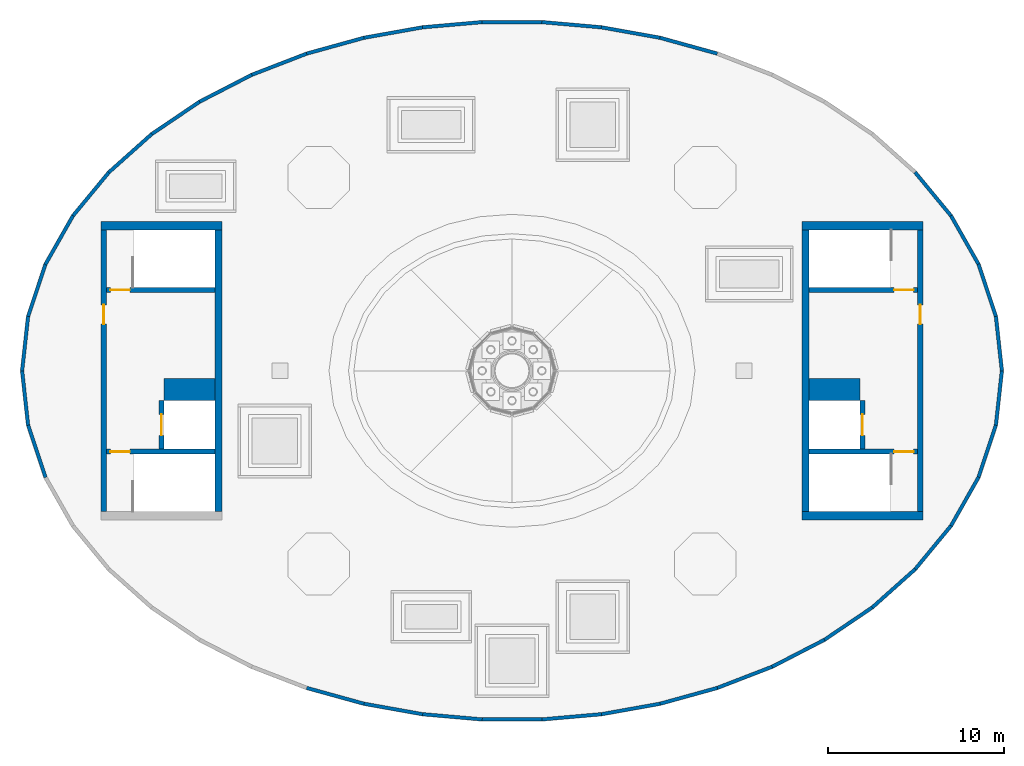
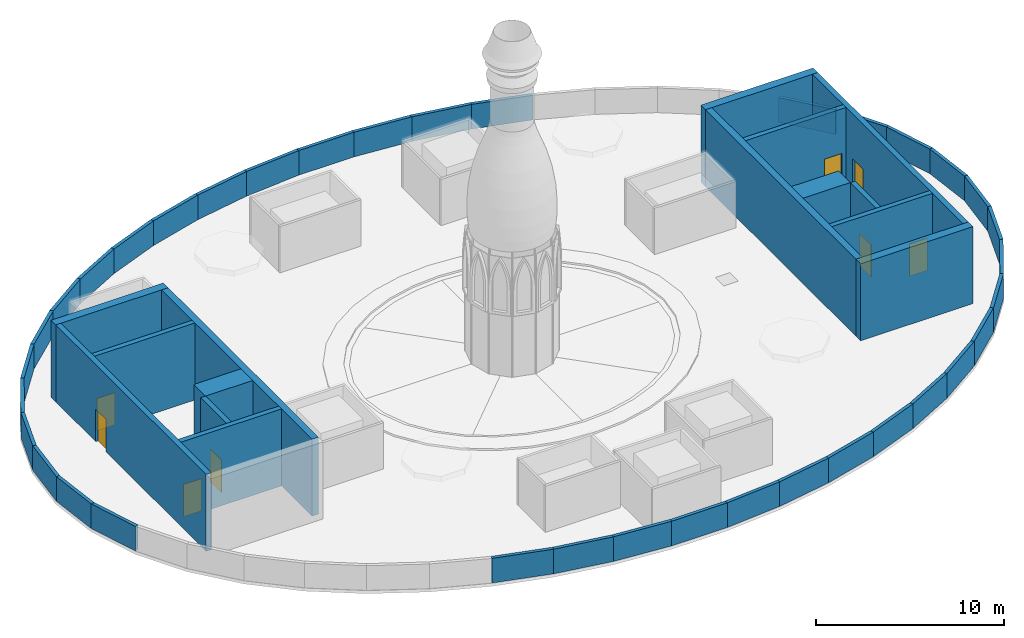
# One storey, part 3 of 7: 51 walls, 8 doors, 8 openings.
"""IFC4 building model written with IfcOpenShell, lengths in metres."""

from ifc_helpers import new_model, si_unit, direction, frame, frame_2d, origin, place, context, subcontext, project, spatial, rectangle, extrude, material, layer, layer_set, type_object, element, fill, save


model = new_model("IFC4")

# Units and contexts
model_context = context("Model", 3, precision=1e-05, world=origin(), true_north=direction((0.0, 1.0)))
body_context = subcontext(model_context, "Body", "Model", "MODEL_VIEW")
ifc_project = project(units=[si_unit("LENGTHUNIT", "METRE"), si_unit("AREAUNIT", "SQUARE_METRE"), si_unit("VOLUMEUNIT", "CUBIC_METRE"), si_unit("PLANEANGLEUNIT", "RADIAN"), si_unit("MASSUNIT", "GRAM", prefix="KILO")], contexts=[model_context])

# Site, building, storey
site_placement = place(None, origin())
site = spatial("IfcSite", under=ifc_project, at=site_placement, CompositionType="ELEMENT")
building_placement = place(site_placement, origin())
building = spatial("IfcBuilding", under=site, at=building_placement, Name="Noorbagh Ring Tower", CompositionType="ELEMENT")
storey_placement = place(building_placement, frame((0.0, 0.0, 356.5)))
storey = spatial("IfcBuildingStorey", under=building, at=storey_placement, Name="L78", CompositionType="ELEMENT", Elevation=356.5)

# Walls
ifc_material_1 = material(Name="Concrete C50/60", Category="concrete")
ifc_layer_1 = layer(ifc_material_1, 1.25)
ifc_layer_set_1 = layer_set([ifc_layer_1], Name="Concrete C50/60")
wall_type_1 = type_object("IfcWallType", Name="CORE-WALL-1250-C50-60-EI120", PredefinedType="SHEAR", material=ifc_layer_set_1)
for number, where, z_axis, x_axis, name in (
    (1, (-16.89990234375, -1.074951171875, 0.0), (0.0, 0.0, 1.0), (-1.0, 0.0, 0.0), "Lift shaft wall W"),
    (2, (16.89990234375, -1.074951171875, 0.0), (0.0, 0.0, 1.0), (1.0, 0.0, 0.0), "Lift shaft wall E"),
):
    element("IfcWall", number, at=place(storey_placement, frame(where, z_axis=z_axis, x_axis=x_axis)), inside=storey, type_object=wall_type_1, Name=name, PredefinedType="SHEAR", context=body_context, shape_type="SweptSolid", body=[
        extrude(rectangle(XDim=2.900146484375, YDim=1.25, at=frame_2d((1.4501953125, 0.0))), origin(), (0.0, 0.0, 1.0), 5.0),
    ])

# Wall, opening, door
ifc_material_2 = material(Name="Concrete C50/60", Category="concrete")
ifc_layer_2 = layer(ifc_material_2, 0.300048828125)
ifc_layer_set_2 = layer_set([ifc_layer_2], Name="Concrete C50/60")
wall_type_2 = type_object("IfcWallType", Name="CORE-WALL-300-C50-60-EI120", PredefinedType="SHEAR", material=ifc_layer_set_2)
wall_1_placement = place(storey_placement, frame((-19.949951171875, -4.449951171875, 0.0), z_axis=(0.0, 0.0, 1.0), x_axis=(0.0, 1.0, 0.0)))
wall_1 = element("IfcWall", 3, at=wall_1_placement, inside=storey, type_object=wall_type_2, Name="Lift shaft wall W", PredefinedType="SHEAR", context=body_context, shape_type="SweptSolid", body=[
    extrude(rectangle(XDim=2.75, YDim=0.300048828125, at=frame_2d((1.375, 0.0))), origin(), (0.0, 0.0, 1.0), 5.0),
])
opening_1_placement = place(wall_1_placement, frame((0.77490234375, 0.0, 0.0)))
opening_1 = element("IfcOpeningElement", 4, at=opening_1_placement, cuts=wall_1, Name="Opening L78-LW01", PredefinedType="OPENING", context=body_context, shape_type="SweptSolid", body=[
    extrude(rectangle(XDim=1.199951171875, YDim=2.10009765625, at=frame_2d((0.60009765625, 1.050048828125))), frame((0.0, 0.16015625, 0.0), z_axis=(0.0, -1.0, 0.0), x_axis=(1.0, 0.0, 0.0)), (0.0, 0.0, 1.0), 0.320068359375),
])
ifc_material_3 = material(Name="Steel door leaf", Category="steel")
door_type_1 = type_object("IfcDoorType", Name="CORE-DOOR-LDW", OperationType="DOUBLE_DOOR_SLIDING", PredefinedType="DOOR", material=ifc_material_3)
door_1_placement = place(opening_1_placement, origin())
door_1 = element("IfcDoor", 5, at=door_1_placement, inside=storey, type_object=door_type_1, Name="Landing door FF1 L78-LW01", OperationType="DOUBLE_DOOR_SLIDING", OverallHeight=2.10009765625, OverallWidth=1.199951171875, PredefinedType="DOOR", context=body_context, shape_type="SweptSolid", body=[
    extrude(rectangle(XDim=1.199951171875, YDim=2.10009765625, at=frame_2d((0.60009765625, 1.050048828125))), frame((0.0, 0.02490234375, 0.0), z_axis=(0.0, -1.0, 0.0), x_axis=(1.0, 0.0, 0.0)), (0.0, 0.0, 1.0), 0.050048828125),
])
fill(opening_1, door_1)

wall_2_placement = place(storey_placement, frame((19.949951171875, -4.449951171875, 0.0), z_axis=(0.0, 0.0, 1.0), x_axis=(0.0, 1.0, 0.0)))
wall_2 = element("IfcWall", 6, at=wall_2_placement, inside=storey, type_object=wall_type_2, Name="Lift shaft wall E", PredefinedType="SHEAR", context=body_context, shape_type="SweptSolid", body=[
    extrude(rectangle(XDim=2.75, YDim=0.300048828125, at=frame_2d((1.375, 0.0))), origin(), (0.0, 0.0, 1.0), 5.0),
])
opening_2_placement = place(wall_2_placement, frame((0.77490234375, 0.0, 0.0)))
opening_2 = element("IfcOpeningElement", 7, at=opening_2_placement, cuts=wall_2, Name="Opening L78-LE01", PredefinedType="OPENING", context=body_context, shape_type="SweptSolid", body=[
    extrude(rectangle(XDim=1.199951171875, YDim=2.10009765625, at=frame_2d((0.60009765625, 1.050048828125))), frame((0.0, 0.16015625, 0.0), z_axis=(0.0, -1.0, 0.0), x_axis=(1.0, 0.0, 0.0)), (0.0, 0.0, 1.0), 0.320068359375),
])
door_2_placement = place(opening_2_placement, origin())
door_2 = element("IfcDoor", 8, at=door_2_placement, inside=storey, type_object=door_type_1, Name="Landing door FF2 L78-LE01", OperationType="DOUBLE_DOOR_SLIDING", OverallHeight=2.10009765625, OverallWidth=1.199951171875, PredefinedType="DOOR", context=body_context, shape_type="SweptSolid", body=[
    extrude(rectangle(XDim=1.199951171875, YDim=2.10009765625, at=frame_2d((0.60009765625, 1.050048828125))), frame((0.0, 0.02490234375, 0.0), z_axis=(0.0, -1.0, 0.0), x_axis=(1.0, 0.0, 0.0)), (0.0, 0.0, 1.0), 0.050048828125),
])
fill(opening_2, door_2)

ifc_material_4 = material(Name="Concrete C50/60", Category="concrete")
ifc_layer_3 = layer(ifc_material_4, 0.300048828125)
ifc_layer_set_3 = layer_set([ifc_layer_3], Name="Concrete C50/60")
wall_type_3 = type_object("IfcWallType", Name="CORE-WALL-300-C50-60-EI240-HEADHOUSE", PredefinedType="SHEAR", material=ifc_layer_set_3)
wall_3_placement = place(storey_placement, frame((-16.89990234375, 4.60009765625, 0.0), z_axis=(0.0, 0.0, 1.0), x_axis=(-1.0, 0.0, 0.0)))
wall_3 = element("IfcWall", 9, at=wall_3_placement, inside=storey, type_object=wall_type_3, Name="Stair head-house wall W", PredefinedType="SHEAR", context=body_context, shape_type="SweptSolid", body=[
    extrude(rectangle(XDim=6.18017578125, YDim=0.300048828125, at=frame_2d((3.090087890625, 0.0))), origin(), (0.0, 0.0, 1.0), 5.0),
])
opening_3_placement = place(wall_3_placement, frame((4.85009765625, 0.0, 0.0)))
opening_3 = element("IfcOpeningElement", 10, at=opening_3_placement, cuts=wall_3, Name="Opening L78-HW01", PredefinedType="OPENING", context=body_context, shape_type="SweptSolid", body=[
    extrude(rectangle(XDim=1.10009765625, YDim=2.10009765625, at=frame_2d((0.550048828125, 1.050048828125))), frame((0.0, 0.16015625, 0.0), z_axis=(0.0, -1.0, 0.0), x_axis=(1.0, 0.0, 0.0)), (0.0, 0.0, 1.0), 0.320068359375),
])
ifc_material_5 = material(Name="Steel door leaf", Category="steel")
door_type_2 = type_object("IfcDoorType", Name="CORE-DOOR-DSTAIR", OperationType="SINGLE_SWING_LEFT", PredefinedType="DOOR", material=ifc_material_5)
door_3_placement = place(opening_3_placement, origin())
door_3 = element("IfcDoor", 11, at=door_3_placement, inside=storey, type_object=door_type_2, Name="Stair door L78-HW01", OperationType="SINGLE_SWING_LEFT", OverallHeight=2.10009765625, OverallWidth=1.10009765625, PredefinedType="DOOR", context=body_context, shape_type="SweptSolid", body=[
    extrude(rectangle(XDim=1.10009765625, YDim=2.10009765625, at=frame_2d((0.550048828125, 1.050048828125))), frame((0.0, 0.02490234375, 0.0), z_axis=(0.0, -1.0, 0.0), x_axis=(1.0, 0.0, 0.0)), (0.0, 0.0, 1.0), 0.050048828125),
])
fill(opening_3, door_3)

wall_4_placement = place(storey_placement, frame((-16.89990234375, -4.60009765625, 0.0), z_axis=(0.0, 0.0, 1.0), x_axis=(-1.0, 0.0, 0.0)))
wall_4 = element("IfcWall", 12, at=wall_4_placement, inside=storey, type_object=wall_type_3, Name="Stair head-house wall W", PredefinedType="SHEAR", context=body_context, shape_type="SweptSolid", body=[
    extrude(rectangle(XDim=6.18017578125, YDim=0.300048828125, at=frame_2d((3.090087890625, 0.0))), origin(), (0.0, 0.0, 1.0), 5.0),
])
opening_4_placement = place(wall_4_placement, frame((4.85009765625, 0.0, 0.0)))
opening_4 = element("IfcOpeningElement", 13, at=opening_4_placement, cuts=wall_4, Name="Opening L78-HW02", PredefinedType="OPENING", context=body_context, shape_type="SweptSolid", body=[
    extrude(rectangle(XDim=1.10009765625, YDim=2.10009765625, at=frame_2d((0.550048828125, 1.050048828125))), frame((0.0, 0.16015625, 0.0), z_axis=(0.0, -1.0, 0.0), x_axis=(1.0, 0.0, 0.0)), (0.0, 0.0, 1.0), 0.320068359375),
])
door_4_placement = place(opening_4_placement, origin())
door_4 = element("IfcDoor", 14, at=door_4_placement, inside=storey, type_object=door_type_2, Name="Stair door L78-HW02", OperationType="SINGLE_SWING_RIGHT", OverallHeight=2.10009765625, OverallWidth=1.10009765625, PredefinedType="DOOR", context=body_context, shape_type="SweptSolid", body=[
    extrude(rectangle(XDim=1.10009765625, YDim=2.10009765625, at=frame_2d((0.550048828125, 1.050048828125))), frame((0.0, 0.02490234375, 0.0), z_axis=(0.0, -1.0, 0.0), x_axis=(1.0, 0.0, 0.0)), (0.0, 0.0, 1.0), 0.050048828125),
])
fill(opening_4, door_4)

wall_5_placement = place(storey_placement, frame((16.89990234375, 4.60009765625, 0.0), z_axis=(0.0, 0.0, 1.0), x_axis=(1.0, 0.0, 0.0)))
wall_5 = element("IfcWall", 15, at=wall_5_placement, inside=storey, type_object=wall_type_3, Name="Stair head-house wall E", PredefinedType="SHEAR", context=body_context, shape_type="SweptSolid", body=[
    extrude(rectangle(XDim=6.18017578125, YDim=0.300048828125, at=frame_2d((3.090087890625, 0.0))), origin(), (0.0, 0.0, 1.0), 5.0),
])
opening_5_placement = place(wall_5_placement, frame((4.85009765625, 0.0, 0.0)))
opening_5 = element("IfcOpeningElement", 16, at=opening_5_placement, cuts=wall_5, Name="Opening L78-HE01", PredefinedType="OPENING", context=body_context, shape_type="SweptSolid", body=[
    extrude(rectangle(XDim=1.10009765625, YDim=2.10009765625, at=frame_2d((0.550048828125, 1.050048828125))), frame((0.0, 0.16015625, 0.0), z_axis=(0.0, -1.0, 0.0), x_axis=(1.0, 0.0, 0.0)), (0.0, 0.0, 1.0), 0.320068359375),
])
door_5_placement = place(opening_5_placement, origin())
door_5 = element("IfcDoor", 17, at=door_5_placement, inside=storey, type_object=door_type_2, Name="Stair door L78-HE01", OperationType="SINGLE_SWING_RIGHT", OverallHeight=2.10009765625, OverallWidth=1.10009765625, PredefinedType="DOOR", context=body_context, shape_type="SweptSolid", body=[
    extrude(rectangle(XDim=1.10009765625, YDim=2.10009765625, at=frame_2d((0.550048828125, 1.050048828125))), frame((0.0, 0.02490234375, 0.0), z_axis=(0.0, -1.0, 0.0), x_axis=(1.0, 0.0, 0.0)), (0.0, 0.0, 1.0), 0.050048828125),
])
fill(opening_5, door_5)

wall_6_placement = place(storey_placement, frame((16.89990234375, -4.60009765625, 0.0), z_axis=(0.0, 0.0, 1.0), x_axis=(1.0, 0.0, 0.0)))
wall_6 = element("IfcWall", 18, at=wall_6_placement, inside=storey, type_object=wall_type_3, Name="Stair head-house wall E", PredefinedType="SHEAR", context=body_context, shape_type="SweptSolid", body=[
    extrude(rectangle(XDim=6.18017578125, YDim=0.300048828125, at=frame_2d((3.090087890625, 0.0))), origin(), (0.0, 0.0, 1.0), 5.0),
])
opening_6_placement = place(wall_6_placement, frame((4.85009765625, 0.0, 0.0)))
opening_6 = element("IfcOpeningElement", 19, at=opening_6_placement, cuts=wall_6, Name="Opening L78-HE02", PredefinedType="OPENING", context=body_context, shape_type="SweptSolid", body=[
    extrude(rectangle(XDim=1.10009765625, YDim=2.10009765625, at=frame_2d((0.550048828125, 1.050048828125))), frame((0.0, 0.16015625, 0.0), z_axis=(0.0, -1.0, 0.0), x_axis=(1.0, 0.0, 0.0)), (0.0, 0.0, 1.0), 0.320068359375),
])
door_6_placement = place(opening_6_placement, origin())
door_6 = element("IfcDoor", 20, at=door_6_placement, inside=storey, type_object=door_type_2, Name="Stair door L78-HE02", OperationType="SINGLE_SWING_LEFT", OverallHeight=2.10009765625, OverallWidth=1.10009765625, PredefinedType="DOOR", context=body_context, shape_type="SweptSolid", body=[
    extrude(rectangle(XDim=1.10009765625, YDim=2.10009765625, at=frame_2d((0.550048828125, 1.050048828125))), frame((0.0, 0.02490234375, 0.0), z_axis=(0.0, -1.0, 0.0), x_axis=(1.0, 0.0, 0.0)), (0.0, 0.0, 1.0), 0.050048828125),
])
fill(opening_6, door_6)

ifc_material_6 = material(Name="Concrete C50/60", Category="concrete")
ifc_layer_4 = layer(ifc_material_6, 0.320068359375)
ifc_layer_set_4 = layer_set([ifc_layer_4], Name="Concrete C50/60")
wall_type_4 = type_object("IfcWallType", Name="CORE-WALL-320-C50-60-EI240-HEADHOUSE", PredefinedType="SHEAR", material=ifc_layer_set_4)
wall_7_placement = place(storey_placement, frame((-23.239990234375, -8.0, 0.0), z_axis=(0.0, 0.0, 1.0), x_axis=(0.0, 1.0, 0.0)))
wall_7 = element("IfcWall", 21, at=wall_7_placement, inside=storey, type_object=wall_type_4, Name="Stair head-house wall W", PredefinedType="SHEAR", context=body_context, shape_type="SweptSolid", body=[
    extrude(rectangle(XDim=16.0, YDim=0.320068359375, at=frame_2d((8.0, 0.0))), origin(), (0.0, 0.0, 1.0), 5.0),
])
opening_7_placement = place(wall_7_placement, frame((10.64990234375, 0.0, 0.0)))
opening_7 = element("IfcOpeningElement", 22, at=opening_7_placement, cuts=wall_7, Name="Opening L78-HW03", PredefinedType="OPENING", context=body_context, shape_type="SweptSolid", body=[
    extrude(rectangle(XDim=1.10009765625, YDim=2.10009765625, at=frame_2d((0.550048828125, 1.050048828125))), frame((0.0, 0.169921875, 0.0), z_axis=(0.0, -1.0, 0.0), x_axis=(1.0, 0.0, 0.0)), (0.0, 0.0, 1.0), 0.340087890625),
])
ifc_material_7 = material(Name="Steel door leaf", Category="steel")
door_type_3 = type_object("IfcDoorType", Name="CORE-DOOR-DROOF", OperationType="SINGLE_SWING_LEFT", PredefinedType="DOOR", material=ifc_material_7)
door_7_placement = place(opening_7_placement, origin())
door_7 = element("IfcDoor", 23, at=door_7_placement, inside=storey, type_object=door_type_3, Name="Roof access door L78-HW03", OperationType="SINGLE_SWING_RIGHT", OverallHeight=2.10009765625, OverallWidth=1.10009765625, PredefinedType="DOOR", context=body_context, shape_type="SweptSolid", body=[
    extrude(rectangle(XDim=1.10009765625, YDim=2.10009765625, at=frame_2d((0.550048828125, 1.050048828125))), frame((0.0, 0.02490234375, 0.0), z_axis=(0.0, -1.0, 0.0), x_axis=(1.0, 0.0, 0.0)), (0.0, 0.0, 1.0), 0.050048828125),
])
fill(opening_7, door_7)

wall_8_placement = place(storey_placement, frame((23.239990234375, -8.0, 0.0), z_axis=(0.0, 0.0, 1.0), x_axis=(0.0, 1.0, 0.0)))
wall_8 = element("IfcWall", 24, at=wall_8_placement, inside=storey, type_object=wall_type_4, Name="Stair head-house wall E", PredefinedType="SHEAR", context=body_context, shape_type="SweptSolid", body=[
    extrude(rectangle(XDim=16.0, YDim=0.320068359375, at=frame_2d((8.0, 0.0))), origin(), (0.0, 0.0, 1.0), 5.0),
])
opening_8_placement = place(wall_8_placement, frame((10.64990234375, 0.0, 0.0)))
opening_8 = element("IfcOpeningElement", 25, at=opening_8_placement, cuts=wall_8, Name="Opening L78-HE03", PredefinedType="OPENING", context=body_context, shape_type="SweptSolid", body=[
    extrude(rectangle(XDim=1.10009765625, YDim=2.10009765625, at=frame_2d((0.550048828125, 1.050048828125))), frame((0.0, 0.169921875, 0.0), z_axis=(0.0, -1.0, 0.0), x_axis=(1.0, 0.0, 0.0)), (0.0, 0.0, 1.0), 0.340087890625),
])
door_8_placement = place(opening_8_placement, origin())
door_8 = element("IfcDoor", 26, at=door_8_placement, inside=storey, type_object=door_type_3, Name="Roof access door L78-HE03", OperationType="SINGLE_SWING_LEFT", OverallHeight=2.10009765625, OverallWidth=1.10009765625, PredefinedType="DOOR", context=body_context, shape_type="SweptSolid", body=[
    extrude(rectangle(XDim=1.10009765625, YDim=2.10009765625, at=frame_2d((0.550048828125, 1.050048828125))), frame((0.0, 0.02490234375, 0.0), z_axis=(0.0, -1.0, 0.0), x_axis=(1.0, 0.0, 0.0)), (0.0, 0.0, 1.0), 0.050048828125),
])
fill(opening_8, door_8)

# Walls
ifc_material_8 = material(Name="Concrete C50/60", Category="concrete")
ifc_layer_5 = layer(ifc_material_8, 0.39990234375)
ifc_layer_set_5 = layer_set([ifc_layer_5], Name="Concrete C50/60")
wall_type_5 = type_object("IfcWallType", Name="CORE-WALL-400-C50-60-EI240-HEADHOUSE", PredefinedType="SHEAR", material=ifc_layer_set_5)
for number, where, z_axis, x_axis, name in (
    (27, (-16.699951171875, -8.0, 0.0), (0.0, 0.0, 1.0), (0.0, 1.0, 0.0), "Stair head-house wall W"),
    (28, (16.699951171875, -8.0, 0.0), (0.0, 0.0, 1.0), (0.0, 1.0, 0.0), "Stair head-house wall E"),
):
    element("IfcWall", number, at=place(storey_placement, frame(where, z_axis=z_axis, x_axis=x_axis)), inside=storey, type_object=wall_type_5, Name=name, PredefinedType="SHEAR", context=body_context, shape_type="SweptSolid", body=[
        extrude(rectangle(XDim=16.0, YDim=0.39990234375, at=frame_2d((8.0, 0.0))), origin(), (0.0, 0.0, 1.0), 5.0),
    ])
ifc_material_9 = material(Name="Concrete C50/60", Category="concrete")
ifc_layer_6 = layer(ifc_material_9, 0.5)
ifc_layer_set_6 = layer_set([ifc_layer_6], Name="Concrete C50/60")
wall_type_6 = type_object("IfcWallType", Name="CORE-WALL-500-C50-60-EI240-HEADHOUSE", PredefinedType="SHEAR", material=ifc_layer_set_6)
for number, where, z_axis, x_axis, name in (
    (29, (-16.5, 8.25, 0.0), (0.0, 0.0, 1.0), (-1.0, 0.0, 0.0), "Stair head-house wall W"),
    (30, (16.5, 8.25, 0.0), (0.0, 0.0, 1.0), (1.0, 0.0, 0.0), "Stair head-house wall E"),
    (31, (16.5, -8.25, 0.0), (0.0, 0.0, 1.0), (1.0, 0.0, 0.0), "Stair head-house wall E"),
):
    element("IfcWall", number, at=place(storey_placement, frame(where, z_axis=z_axis, x_axis=x_axis)), inside=storey, type_object=wall_type_6, Name=name, PredefinedType="SHEAR", context=body_context, shape_type="SweptSolid", body=[
        extrude(rectangle(XDim=6.89990234375, YDim=0.5, at=frame_2d((3.449951171875, 0.0))), origin(), (0.0, 0.0, 1.0), 5.0),
    ])
ifc_material_10 = material(Name="Concrete C40/50", Category="concrete")
ifc_layer_7 = layer(ifc_material_10, 0.199951171875)
ifc_layer_set_7 = layer_set([ifc_layer_7], Name="Concrete C40/50")
wall_type_7 = type_object("IfcWallType", Name="ENV-PARAPET", PredefinedType="PARAPET", material=ifc_layer_set_7)
wall_9_placement = place(storey_placement, frame((27.880615234375, -0.01318359375, 0.0), z_axis=(0.0, 0.0, 1.0), x_axis=(-0.108968493304, 0.994045203935, 0.0)))
element("IfcWall", 32, at=wall_9_placement, inside=storey, type_object=wall_type_7, Name="Head roof parapet chord 01", PredefinedType="PARAPET", context=body_context, shape_type="SweptSolid", body=[
    extrude(rectangle(XDim=3.132080078125, YDim=0.199951171875, at=frame_2d((1.56591796875, 0.0))), origin(), (0.0, 0.0, 1.0), 1.60009765625),
])
wall_10_placement = place(storey_placement, frame((27.544921875, 3.075439453125, 0.0), z_axis=(0.0, 0.0, 1.0), x_axis=(-0.315716876487, 0.94885344174, 0.0)))
element("IfcWall", 33, at=wall_10_placement, inside=storey, type_object=wall_type_7, Name="Head roof parapet chord 02", PredefinedType="PARAPET", context=body_context, shape_type="SweptSolid", body=[
    extrude(rectangle(XDim=3.154296875, YDim=0.199951171875, at=frame_2d((1.5771484375, 0.0))), origin(), (0.0, 0.0, 1.0), 1.60009765625),
])
wall_11_placement = place(storey_placement, frame((26.55859375, 6.047119140625, 0.0), z_axis=(0.0, 0.0, 1.0), x_axis=(-0.493682136755, 0.869642425281, 0.0)))
element("IfcWall", 34, at=wall_11_placement, inside=storey, type_object=wall_type_7, Name="Head roof parapet chord 03", PredefinedType="PARAPET", context=body_context, shape_type="SweptSolid", body=[
    extrude(rectangle(XDim=3.191650390625, YDim=0.199951171875, at=frame_2d((1.595703125, 0.0))), origin(), (0.0, 0.0, 1.0), 1.60009765625),
])
wall_12_placement = place(storey_placement, frame((24.994873046875, 8.8056640625, 0.0), z_axis=(0.0, 0.0, 1.0), x_axis=(-0.636540100099, 0.771243606759, 0.0)))
element("IfcWall", 35, at=wall_12_placement, inside=storey, type_object=wall_type_7, Name="Head roof parapet chord 04", PredefinedType="PARAPET", context=body_context, shape_type="SweptSolid", body=[
    extrude(rectangle(XDim=3.235107421875, YDim=0.199951171875, at=frame_2d((1.61767578125, 0.0))), origin(), (0.0, 0.0, 1.0), 1.60009765625),
])
wall_13_placement = place(storey_placement, frame((11.685546875, 18.048828125, 0.0), z_axis=(0.0, 0.0, 1.0), x_axis=(-0.96386387244, 0.266395261605, 0.0)))
element("IfcWall", 36, at=wall_13_placement, inside=storey, type_object=wall_type_7, Name="Head roof parapet chord 09", PredefinedType="PARAPET", context=body_context, shape_type="SweptSolid", body=[
    extrude(rectangle(XDim=3.38916015625, YDim=0.199951171875, at=frame_2d((1.694580078125, 0.0))), origin(), (0.0, 0.0, 1.0), 1.60009765625),
])
wall_14_placement = place(storey_placement, frame((8.4296875, 18.94921875, 0.0), z_axis=(0.0, 0.0, 1.0), x_axis=(-0.98443334121, 0.175758347497, 0.0)))
element("IfcWall", 37, at=wall_14_placement, inside=storey, type_object=wall_type_7, Name="Head roof parapet chord 10", PredefinedType="PARAPET", context=body_context, shape_type="SweptSolid", body=[
    extrude(rectangle(XDim=3.40185546875, YDim=0.199951171875, at=frame_2d((1.700927734375, 0.0))), origin(), (0.0, 0.0, 1.0), 1.60009765625),
])
wall_15_placement = place(storey_placement, frame((5.091552734375, 19.545654296875, 0.0), z_axis=(0.0, 0.0, 1.0), x_axis=(-0.996182594068, 0.087293981897, 0.0)))
element("IfcWall", 38, at=wall_15_placement, inside=storey, type_object=wall_type_7, Name="Head roof parapet chord 11", PredefinedType="PARAPET", context=body_context, shape_type="SweptSolid", body=[
    extrude(rectangle(XDim=3.4091796875, YDim=0.199951171875, at=frame_2d((1.70458984375, 0.0))), origin(), (0.0, 0.0, 1.0), 1.60009765625),
])
wall_16_placement = place(storey_placement, frame((1.705810546875, 19.8427734375, 0.0), z_axis=(0.0, 0.0, 1.0), x_axis=(-1.0, 0.0, 0.0)))
element("IfcWall", 39, at=wall_16_placement, inside=storey, type_object=wall_type_7, Name="Head roof parapet chord 12", PredefinedType="PARAPET", context=body_context, shape_type="SweptSolid", body=[
    extrude(rectangle(XDim=3.41162109375, YDim=0.199951171875, at=frame_2d((1.705810546875, 0.0))), origin(), (0.0, 0.0, 1.0), 1.60009765625),
])
wall_17_placement = place(storey_placement, frame((-1.6953125, 19.84326171875, 0.0), z_axis=(0.0, 0.0, 1.0), x_axis=(-0.996182594068, -0.087293981897, 0.0)))
element("IfcWall", 40, at=wall_17_placement, inside=storey, type_object=wall_type_7, Name="Head roof parapet chord 13", PredefinedType="PARAPET", context=body_context, shape_type="SweptSolid", body=[
    extrude(rectangle(XDim=3.4091796875, YDim=0.199951171875, at=frame_2d((1.70458984375, 0.0))), origin(), (0.0, 0.0, 1.0), 1.60009765625),
])
wall_18_placement = place(storey_placement, frame((-5.080810546875, 19.547119140625, 0.0), z_axis=(0.0, 0.0, 1.0), x_axis=(-0.98443334121, -0.175758347497, 0.0)))
element("IfcWall", 41, at=wall_18_placement, inside=storey, type_object=wall_type_7, Name="Head roof parapet chord 14", PredefinedType="PARAPET", context=body_context, shape_type="SweptSolid", body=[
    extrude(rectangle(XDim=3.40185546875, YDim=0.199951171875, at=frame_2d((1.700927734375, 0.0))), origin(), (0.0, 0.0, 1.0), 1.60009765625),
])
wall_19_placement = place(storey_placement, frame((-8.4189453125, 18.95166015625, 0.0), z_axis=(0.0, 0.0, 1.0), x_axis=(-0.96386387244, -0.266395261605, 0.0)))
element("IfcWall", 42, at=wall_19_placement, inside=storey, type_object=wall_type_7, Name="Head roof parapet chord 15", PredefinedType="PARAPET", context=body_context, shape_type="SweptSolid", body=[
    extrude(rectangle(XDim=3.38916015625, YDim=0.199951171875, at=frame_2d((1.694580078125, 0.0))), origin(), (0.0, 0.0, 1.0), 1.60009765625),
])
wall_20_placement = place(storey_placement, frame((-11.67431640625, 18.052490234375, 0.0), z_axis=(0.0, 0.0, 1.0), x_axis=(-0.932846272734, -0.360274661121, 0.0)))
element("IfcWall", 43, at=wall_20_placement, inside=storey, type_object=wall_type_7, Name="Head roof parapet chord 16", PredefinedType="PARAPET", context=body_context, shape_type="SweptSolid", body=[
    extrude(rectangle(XDim=3.37060546875, YDim=0.199951171875, at=frame_2d((1.685302734375, 0.0))), origin(), (0.0, 0.0, 1.0), 1.60009765625),
])
wall_21_placement = place(storey_placement, frame((-14.806884765625, 16.843505859375, 0.0), z_axis=(0.0, 0.0, 1.0), x_axis=(-0.888873733179, -0.458152252492, 0.0)))
element("IfcWall", 44, at=wall_21_placement, inside=storey, type_object=wall_type_7, Name="Head roof parapet chord 17", PredefinedType="PARAPET", context=body_context, shape_type="SweptSolid", body=[
    extrude(rectangle(XDim=3.346435546875, YDim=0.199951171875, at=frame_2d((1.67333984375, 0.0))), origin(), (0.0, 0.0, 1.0), 1.60009765625),
])
wall_22_placement = place(storey_placement, frame((-17.769287109375, 15.317626953125, 0.0), z_axis=(0.0, 0.0, 1.0), x_axis=(-0.828292460288, -0.560295993409, 0.0)))
element("IfcWall", 45, at=wall_22_placement, inside=storey, type_object=wall_type_7, Name="Head roof parapet chord 18", PredefinedType="PARAPET", context=body_context, shape_type="SweptSolid", body=[
    extrude(rectangle(XDim=3.315185546875, YDim=0.199951171875, at=frame_2d((1.65771484375, 0.0))), origin(), (0.0, 0.0, 1.0), 1.60009765625),
])
wall_23_placement = place(storey_placement, frame((-20.50244140625, 13.469970703125, 0.0), z_axis=(0.0, 0.0, 1.0), x_axis=(-0.746146424316, -0.66578188131, 0.0)))
element("IfcWall", 46, at=wall_23_placement, inside=storey, type_object=wall_type_7, Name="Head roof parapet chord 19", PredefinedType="PARAPET", context=body_context, shape_type="SweptSolid", body=[
    extrude(rectangle(XDim=3.27783203125, YDim=0.199951171875, at=frame_2d((1.638916015625, 0.0))), origin(), (0.0, 0.0, 1.0), 1.60009765625),
])
wall_24_placement = place(storey_placement, frame((-22.935546875, 11.30078125, 0.0), z_axis=(0.0, 0.0, 1.0), x_axis=(-0.636540100099, -0.771243606759, 0.0)))
element("IfcWall", 47, at=wall_24_placement, inside=storey, type_object=wall_type_7, Name="Head roof parapet chord 20", PredefinedType="PARAPET", context=body_context, shape_type="SweptSolid", body=[
    extrude(rectangle(XDim=3.235107421875, YDim=0.199951171875, at=frame_2d((1.61767578125, 0.0))), origin(), (0.0, 0.0, 1.0), 1.60009765625),
])
wall_25_placement = place(storey_placement, frame((-24.98291015625, 8.82275390625, 0.0), z_axis=(0.0, 0.0, 1.0), x_axis=(-0.493682136755, -0.869642425281, 0.0)))
element("IfcWall", 48, at=wall_25_placement, inside=storey, type_object=wall_type_7, Name="Head roof parapet chord 21", PredefinedType="PARAPET", context=body_context, shape_type="SweptSolid", body=[
    extrude(rectangle(XDim=3.191650390625, YDim=0.199951171875, at=frame_2d((1.595703125, 0.0))), origin(), (0.0, 0.0, 1.0), 1.60009765625),
])
wall_26_placement = place(storey_placement, frame((-26.549072265625, 6.068359375, 0.0), z_axis=(0.0, 0.0, 1.0), x_axis=(-0.315716876487, -0.94885344174, 0.0)))
element("IfcWall", 49, at=wall_26_placement, inside=storey, type_object=wall_type_7, Name="Head roof parapet chord 22", PredefinedType="PARAPET", context=body_context, shape_type="SweptSolid", body=[
    extrude(rectangle(XDim=3.154296875, YDim=0.199951171875, at=frame_2d((1.5771484375, 0.0))), origin(), (0.0, 0.0, 1.0), 1.60009765625),
])
for number, where, z_axis, x_axis, name in (
    (50, (-27.539306640625, 3.100341796875, 0.0), (0.0, 0.0, 1.0), (-0.108968493304, -0.994045203935, 0.0), "Head roof parapet chord 23"),
    (51, (-27.880615234375, 0.01318359375, 0.0), (0.0, 0.0, 1.0), (0.108968493304, -0.994045203935, 0.0), "Head roof parapet chord 24"),
):
    element("IfcWall", number, at=place(storey_placement, frame(where, z_axis=z_axis, x_axis=x_axis)), inside=storey, type_object=wall_type_7, Name=name, PredefinedType="PARAPET", context=body_context, shape_type="SweptSolid", body=[
        extrude(rectangle(XDim=3.132080078125, YDim=0.199951171875, at=frame_2d((1.56591796875, 0.0))), origin(), (0.0, 0.0, 1.0), 1.60009765625),
    ])
wall_27_placement = place(storey_placement, frame((-27.544921875, -3.075439453125, 0.0), z_axis=(0.0, 0.0, 1.0), x_axis=(0.315716876487, -0.94885344174, 0.0)))
element("IfcWall", 52, at=wall_27_placement, inside=storey, type_object=wall_type_7, Name="Head roof parapet chord 25", PredefinedType="PARAPET", context=body_context, shape_type="SweptSolid", body=[
    extrude(rectangle(XDim=3.154296875, YDim=0.199951171875, at=frame_2d((1.5771484375, 0.0))), origin(), (0.0, 0.0, 1.0), 1.60009765625),
])
wall_28_placement = place(storey_placement, frame((-11.685546875, -18.048828125, 0.0), z_axis=(0.0, 0.0, 1.0), x_axis=(0.96386387244, -0.266395261605, 0.0)))
element("IfcWall", 53, at=wall_28_placement, inside=storey, type_object=wall_type_7, Name="Head roof parapet chord 32", PredefinedType="PARAPET", context=body_context, shape_type="SweptSolid", body=[
    extrude(rectangle(XDim=3.38916015625, YDim=0.199951171875, at=frame_2d((1.694580078125, 0.0))), origin(), (0.0, 0.0, 1.0), 1.60009765625),
])
wall_29_placement = place(storey_placement, frame((-8.4296875, -18.94921875, 0.0), z_axis=(0.0, 0.0, 1.0), x_axis=(0.98443334121, -0.175758347497, 0.0)))
element("IfcWall", 54, at=wall_29_placement, inside=storey, type_object=wall_type_7, Name="Head roof parapet chord 33", PredefinedType="PARAPET", context=body_context, shape_type="SweptSolid", body=[
    extrude(rectangle(XDim=3.40185546875, YDim=0.199951171875, at=frame_2d((1.700927734375, 0.0))), origin(), (0.0, 0.0, 1.0), 1.60009765625),
])
wall_30_placement = place(storey_placement, frame((-5.091552734375, -19.545654296875, 0.0), z_axis=(0.0, 0.0, 1.0), x_axis=(0.996182594068, -0.087293981897, 0.0)))
element("IfcWall", 55, at=wall_30_placement, inside=storey, type_object=wall_type_7, Name="Head roof parapet chord 34", PredefinedType="PARAPET", context=body_context, shape_type="SweptSolid", body=[
    extrude(rectangle(XDim=3.4091796875, YDim=0.199951171875, at=frame_2d((1.70458984375, 0.0))), origin(), (0.0, 0.0, 1.0), 1.60009765625),
])
wall_31_placement = place(storey_placement, frame((-1.705810546875, -19.8427734375, 0.0), z_axis=(0.0, 0.0, 1.0), x_axis=(1.0, 0.0, 0.0)))
element("IfcWall", 56, at=wall_31_placement, inside=storey, type_object=wall_type_7, Name="Head roof parapet chord 35", PredefinedType="PARAPET", context=body_context, shape_type="SweptSolid", body=[
    extrude(rectangle(XDim=3.41162109375, YDim=0.199951171875, at=frame_2d((1.705810546875, 0.0))), origin(), (0.0, 0.0, 1.0), 1.60009765625),
])
wall_32_placement = place(storey_placement, frame((1.6953125, -19.84326171875, 0.0), z_axis=(0.0, 0.0, 1.0), x_axis=(0.996182594068, 0.087293981897, 0.0)))
element("IfcWall", 57, at=wall_32_placement, inside=storey, type_object=wall_type_7, Name="Head roof parapet chord 36", PredefinedType="PARAPET", context=body_context, shape_type="SweptSolid", body=[
    extrude(rectangle(XDim=3.4091796875, YDim=0.199951171875, at=frame_2d((1.70458984375, 0.0))), origin(), (0.0, 0.0, 1.0), 1.60009765625),
])
wall_33_placement = place(storey_placement, frame((5.080810546875, -19.547119140625, 0.0), z_axis=(0.0, 0.0, 1.0), x_axis=(0.98443334121, 0.175758347497, 0.0)))
element("IfcWall", 58, at=wall_33_placement, inside=storey, type_object=wall_type_7, Name="Head roof parapet chord 37", PredefinedType="PARAPET", context=body_context, shape_type="SweptSolid", body=[
    extrude(rectangle(XDim=3.40185546875, YDim=0.199951171875, at=frame_2d((1.700927734375, 0.0))), origin(), (0.0, 0.0, 1.0), 1.60009765625),
])
wall_34_placement = place(storey_placement, frame((8.4189453125, -18.95166015625, 0.0), z_axis=(0.0, 0.0, 1.0), x_axis=(0.96386387244, 0.266395261605, 0.0)))
element("IfcWall", 59, at=wall_34_placement, inside=storey, type_object=wall_type_7, Name="Head roof parapet chord 38", PredefinedType="PARAPET", context=body_context, shape_type="SweptSolid", body=[
    extrude(rectangle(XDim=3.38916015625, YDim=0.199951171875, at=frame_2d((1.694580078125, 0.0))), origin(), (0.0, 0.0, 1.0), 1.60009765625),
])
wall_35_placement = place(storey_placement, frame((11.67431640625, -18.052490234375, 0.0), z_axis=(0.0, 0.0, 1.0), x_axis=(0.932846272734, 0.360274661121, 0.0)))
element("IfcWall", 60, at=wall_35_placement, inside=storey, type_object=wall_type_7, Name="Head roof parapet chord 39", PredefinedType="PARAPET", context=body_context, shape_type="SweptSolid", body=[
    extrude(rectangle(XDim=3.37060546875, YDim=0.199951171875, at=frame_2d((1.685302734375, 0.0))), origin(), (0.0, 0.0, 1.0), 1.60009765625),
])
wall_36_placement = place(storey_placement, frame((14.806884765625, -16.843505859375, 0.0), z_axis=(0.0, 0.0, 1.0), x_axis=(0.888873733179, 0.458152252492, 0.0)))
element("IfcWall", 61, at=wall_36_placement, inside=storey, type_object=wall_type_7, Name="Head roof parapet chord 40", PredefinedType="PARAPET", context=body_context, shape_type="SweptSolid", body=[
    extrude(rectangle(XDim=3.346435546875, YDim=0.199951171875, at=frame_2d((1.67333984375, 0.0))), origin(), (0.0, 0.0, 1.0), 1.60009765625),
])
wall_37_placement = place(storey_placement, frame((17.769287109375, -15.317626953125, 0.0), z_axis=(0.0, 0.0, 1.0), x_axis=(0.828292460288, 0.560295993409, 0.0)))
element("IfcWall", 62, at=wall_37_placement, inside=storey, type_object=wall_type_7, Name="Head roof parapet chord 41", PredefinedType="PARAPET", context=body_context, shape_type="SweptSolid", body=[
    extrude(rectangle(XDim=3.315185546875, YDim=0.199951171875, at=frame_2d((1.65771484375, 0.0))), origin(), (0.0, 0.0, 1.0), 1.60009765625),
])
wall_38_placement = place(storey_placement, frame((20.50244140625, -13.469970703125, 0.0), z_axis=(0.0, 0.0, 1.0), x_axis=(0.746146424316, 0.66578188131, 0.0)))
element("IfcWall", 63, at=wall_38_placement, inside=storey, type_object=wall_type_7, Name="Head roof parapet chord 42", PredefinedType="PARAPET", context=body_context, shape_type="SweptSolid", body=[
    extrude(rectangle(XDim=3.27783203125, YDim=0.199951171875, at=frame_2d((1.638916015625, 0.0))), origin(), (0.0, 0.0, 1.0), 1.60009765625),
])
wall_39_placement = place(storey_placement, frame((22.935546875, -11.30078125, 0.0), z_axis=(0.0, 0.0, 1.0), x_axis=(0.636540100099, 0.771243606759, 0.0)))
element("IfcWall", 64, at=wall_39_placement, inside=storey, type_object=wall_type_7, Name="Head roof parapet chord 43", PredefinedType="PARAPET", context=body_context, shape_type="SweptSolid", body=[
    extrude(rectangle(XDim=3.235107421875, YDim=0.199951171875, at=frame_2d((1.61767578125, 0.0))), origin(), (0.0, 0.0, 1.0), 1.60009765625),
])
wall_40_placement = place(storey_placement, frame((24.98291015625, -8.82275390625, 0.0), z_axis=(0.0, 0.0, 1.0), x_axis=(0.493682136755, 0.869642425281, 0.0)))
element("IfcWall", 65, at=wall_40_placement, inside=storey, type_object=wall_type_7, Name="Head roof parapet chord 44", PredefinedType="PARAPET", context=body_context, shape_type="SweptSolid", body=[
    extrude(rectangle(XDim=3.191650390625, YDim=0.199951171875, at=frame_2d((1.595703125, 0.0))), origin(), (0.0, 0.0, 1.0), 1.60009765625),
])
wall_41_placement = place(storey_placement, frame((26.549072265625, -6.068359375, 0.0), z_axis=(0.0, 0.0, 1.0), x_axis=(0.315716876487, 0.94885344174, 0.0)))
element("IfcWall", 66, at=wall_41_placement, inside=storey, type_object=wall_type_7, Name="Head roof parapet chord 45", PredefinedType="PARAPET", context=body_context, shape_type="SweptSolid", body=[
    extrude(rectangle(XDim=3.154296875, YDim=0.199951171875, at=frame_2d((1.5771484375, 0.0))), origin(), (0.0, 0.0, 1.0), 1.60009765625),
])
wall_42_placement = place(storey_placement, frame((27.539306640625, -3.100341796875, 0.0), z_axis=(0.0, 0.0, 1.0), x_axis=(0.108968493304, 0.994045203935, 0.0)))
element("IfcWall", 67, at=wall_42_placement, inside=storey, type_object=wall_type_7, Name="Head roof parapet chord 46", PredefinedType="PARAPET", context=body_context, shape_type="SweptSolid", body=[
    extrude(rectangle(XDim=3.132080078125, YDim=0.199951171875, at=frame_2d((1.56591796875, 0.0))), origin(), (0.0, 0.0, 1.0), 1.60009765625),
])

save(model, "model.ifc")
